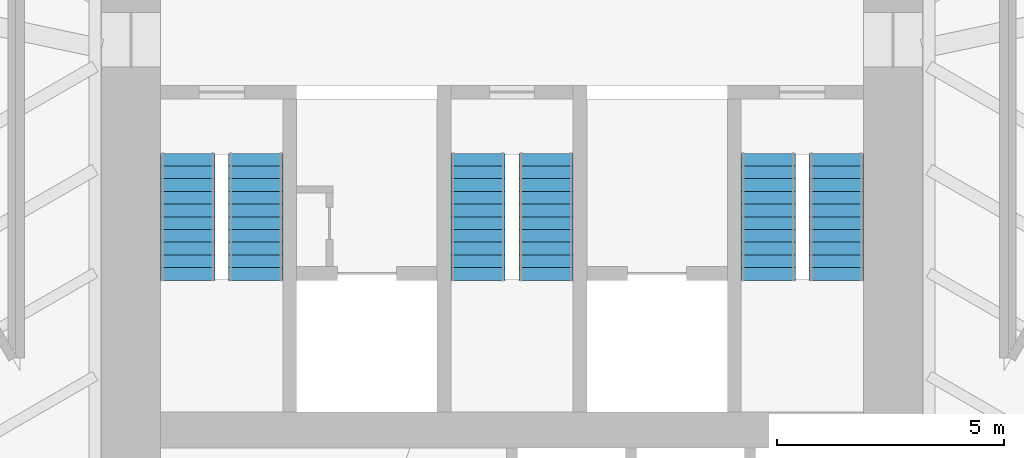
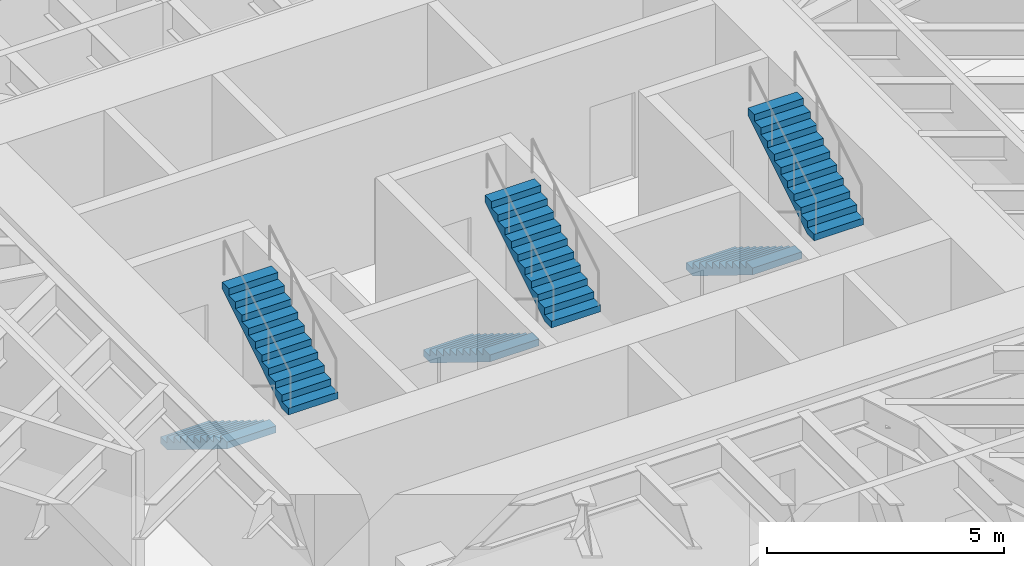
# One storey, part 16 of 17: 6 stair flights, 3 elements without a shape of their own.
"""IFC4 building model written with IfcOpenShell, lengths in metres."""

from ifc_helpers import new_model, si_unit, direction, frame, origin, place, context, subcontext, project, spatial, polyline, outline, extrude, material, type_object, element, aggregate, save


model = new_model("IFC4")

# Units and contexts
model_context = context("Model", 3, precision=1e-05, world=origin(), true_north=direction((0.0, 1.0)))
body_context = subcontext(model_context, "Body", "Model", "MODEL_VIEW")
ifc_project = project(units=[si_unit("LENGTHUNIT", "METRE"), si_unit("AREAUNIT", "SQUARE_METRE"), si_unit("VOLUMEUNIT", "CUBIC_METRE"), si_unit("PLANEANGLEUNIT", "RADIAN"), si_unit("MASSUNIT", "GRAM", prefix="KILO")], contexts=[model_context])

# Site, building, storey
site_placement = place(None, origin())
site = spatial("IfcSite", under=ifc_project, at=site_placement, CompositionType="ELEMENT")
building_placement = place(site_placement, origin())
building = spatial("IfcBuilding", under=site, at=building_placement, Name="Sandreach Pilgrim Tower", CompositionType="ELEMENT")
storey_placement = place(building_placement, frame((0.0, 0.0, 104.39990234375)))
storey = spatial("IfcBuildingStorey", under=building, at=storey_placement, Name="L25", CompositionType="ELEMENT", Elevation=104.39990234375)

# Stair, stair flights
ifc_material_1 = material(Name="Concrete 8000 psi", Category="concrete")
stair_type = type_object("IfcStairType", Name="Core exit stair", PredefinedType="HALF_TURN_STAIR", material=ifc_material_1)
stair_1_placement = place(storey_placement, origin())
stair_1 = element("IfcStair", 1, at=stair_1_placement, inside=storey, type_object=stair_type, Name="Exit stair ST1 L25", PredefinedType="HALF_TURN_STAIR")
ifc_material_2 = material(Name="Concrete 8000 psi", Category="concrete")
stair_flight_type = type_object("IfcStairFlightType", Name="Core stair flight 1200", PredefinedType="STRAIGHT", material=ifc_material_2)
stair_flight_1_placement = place(storey_placement, frame((-7.14990234375, -0.39990234375, 0.0), z_axis=(0.0, 0.0, 1.0), x_axis=(0.0, -1.0, 0.0)))
stair_flight_1 = element("IfcStairFlight", 2, at=stair_flight_1_placement, type_object=stair_flight_type, Name="ST1 flight 1", NumberOfRisers=11, NumberOfTreads=10, PredefinedType="STRAIGHT", RiserHeight=0.172727273, TreadLength=0.28, context=body_context, shape_type="SweptSolid", body=[
    extrude(outline(polyline([(0.0, 0.0), (0.0, 0.172607421875), (0.280029296875, 0.172607421875), (0.280029296875, 0.345458984375), (0.56005859375, 0.345458984375), (0.56005859375, 0.51806640625), (0.840087890625, 0.51806640625), (0.840087890625, 0.69091796875), (1.1201171875, 0.69091796875), (1.1201171875, 0.863525390625), (1.39990234375, 0.863525390625), (1.39990234375, 1.036376953125), (1.679931640625, 1.036376953125), (1.679931640625, 1.208984375), (1.9599609375, 1.208984375), (1.9599609375, 1.3818359375), (2.239990234375, 1.3818359375), (2.239990234375, 1.554443359375), (2.52001953125, 1.554443359375), (2.52001953125, 1.727294921875), (2.800048828125, 1.727294921875), (2.800048828125, 1.89990234375), (2.800048828125, 1.551025390625), (0.285400390625, 0.0), (0.0, 0.0)])), frame((0.0, 0.60009765625, 0.0), z_axis=(0.0, -1.0, 0.0), x_axis=(1.0, 0.0, 0.0)), (0.0, 0.0, 1.0), 1.199951171875),
])
stair_flight_2_placement = place(storey_placement, frame((-5.64990234375, -3.199951171875, 1.900146484375), z_axis=(0.0, 0.0, 1.0), x_axis=(0.0, 1.0, 0.0)))
stair_flight_2 = element("IfcStairFlight", 3, at=stair_flight_2_placement, type_object=stair_flight_type, Name="ST1 flight 2", NumberOfRisers=11, NumberOfTreads=10, PredefinedType="STRAIGHT", RiserHeight=0.172727273, TreadLength=0.28, context=body_context, shape_type="SweptSolid", body=[
    extrude(outline(polyline([(0.0, 0.0), (0.0, 0.172607421875), (0.280029296875, 0.172607421875), (0.280029296875, 0.345458984375), (0.56005859375, 0.345458984375), (0.56005859375, 0.51806640625), (0.840087890625, 0.51806640625), (0.840087890625, 0.69091796875), (1.1201171875, 0.69091796875), (1.1201171875, 0.863525390625), (1.39990234375, 0.863525390625), (1.39990234375, 1.036376953125), (1.679931640625, 1.036376953125), (1.679931640625, 1.208984375), (1.9599609375, 1.208984375), (1.9599609375, 1.3818359375), (2.239990234375, 1.3818359375), (2.239990234375, 1.554443359375), (2.52001953125, 1.554443359375), (2.52001953125, 1.727294921875), (2.800048828125, 1.727294921875), (2.800048828125, 1.89990234375), (2.800048828125, 1.551025390625), (0.285400390625, 0.0), (0.0, 0.0)])), frame((0.0, 0.60009765625, 0.0), z_axis=(0.0, -1.0, 0.0), x_axis=(1.0, 0.0, 0.0)), (0.0, 0.0, 1.0), 1.199951171875),
])
aggregate(stair_1, [stair_flight_1, stair_flight_2])

stair_2_placement = place(storey_placement, origin())
stair_2 = element("IfcStair", 4, at=stair_2_placement, inside=storey, type_object=stair_type, Name="Exit stair ST3 L25", PredefinedType="HALF_TURN_STAIR")
stair_flight_3_placement = place(storey_placement, frame((-0.75, -0.39990234375, 0.0), z_axis=(0.0, 0.0, 1.0), x_axis=(0.0, -1.0, 0.0)))
stair_flight_3 = element("IfcStairFlight", 5, at=stair_flight_3_placement, type_object=stair_flight_type, Name="ST3 flight 1", NumberOfRisers=11, NumberOfTreads=10, PredefinedType="STRAIGHT", RiserHeight=0.172727273, TreadLength=0.28, context=body_context, shape_type="SweptSolid", body=[
    extrude(outline(polyline([(0.0, 0.0), (0.0, 0.172607421875), (0.280029296875, 0.172607421875), (0.280029296875, 0.345458984375), (0.56005859375, 0.345458984375), (0.56005859375, 0.51806640625), (0.840087890625, 0.51806640625), (0.840087890625, 0.69091796875), (1.1201171875, 0.69091796875), (1.1201171875, 0.863525390625), (1.39990234375, 0.863525390625), (1.39990234375, 1.036376953125), (1.679931640625, 1.036376953125), (1.679931640625, 1.208984375), (1.9599609375, 1.208984375), (1.9599609375, 1.3818359375), (2.239990234375, 1.3818359375), (2.239990234375, 1.554443359375), (2.52001953125, 1.554443359375), (2.52001953125, 1.727294921875), (2.800048828125, 1.727294921875), (2.800048828125, 1.89990234375), (2.800048828125, 1.551025390625), (0.285400390625, 0.0), (0.0, 0.0)])), frame((0.0, 0.60009765625, 0.0), z_axis=(0.0, -1.0, 0.0), x_axis=(1.0, 0.0, 0.0)), (0.0, 0.0, 1.0), 1.199951171875),
])
stair_flight_4_placement = place(storey_placement, frame((0.75, -3.199951171875, 1.900146484375), z_axis=(0.0, 0.0, 1.0), x_axis=(0.0, 1.0, 0.0)))
stair_flight_4 = element("IfcStairFlight", 6, at=stair_flight_4_placement, type_object=stair_flight_type, Name="ST3 flight 2", NumberOfRisers=11, NumberOfTreads=10, PredefinedType="STRAIGHT", RiserHeight=0.172727273, TreadLength=0.28, context=body_context, shape_type="SweptSolid", body=[
    extrude(outline(polyline([(0.0, 0.0), (0.0, 0.172607421875), (0.280029296875, 0.172607421875), (0.280029296875, 0.345458984375), (0.56005859375, 0.345458984375), (0.56005859375, 0.51806640625), (0.840087890625, 0.51806640625), (0.840087890625, 0.69091796875), (1.1201171875, 0.69091796875), (1.1201171875, 0.863525390625), (1.39990234375, 0.863525390625), (1.39990234375, 1.036376953125), (1.679931640625, 1.036376953125), (1.679931640625, 1.208984375), (1.9599609375, 1.208984375), (1.9599609375, 1.3818359375), (2.239990234375, 1.3818359375), (2.239990234375, 1.554443359375), (2.52001953125, 1.554443359375), (2.52001953125, 1.727294921875), (2.800048828125, 1.727294921875), (2.800048828125, 1.89990234375), (2.800048828125, 1.551025390625), (0.285400390625, 0.0), (0.0, 0.0)])), frame((0.0, 0.60009765625, 0.0), z_axis=(0.0, -1.0, 0.0), x_axis=(1.0, 0.0, 0.0)), (0.0, 0.0, 1.0), 1.199951171875),
])
aggregate(stair_2, [stair_flight_3, stair_flight_4])

stair_3_placement = place(storey_placement, origin())
stair_3 = element("IfcStair", 7, at=stair_3_placement, inside=storey, type_object=stair_type, Name="Exit stair ST2 L25", PredefinedType="HALF_TURN_STAIR")
stair_flight_5_placement = place(storey_placement, frame((5.64990234375, -0.39990234375, 0.0), z_axis=(0.0, 0.0, 1.0), x_axis=(0.0, -1.0, 0.0)))
stair_flight_5 = element("IfcStairFlight", 8, at=stair_flight_5_placement, type_object=stair_flight_type, Name="ST2 flight 1", NumberOfRisers=11, NumberOfTreads=10, PredefinedType="STRAIGHT", RiserHeight=0.172727273, TreadLength=0.28, context=body_context, shape_type="SweptSolid", body=[
    extrude(outline(polyline([(0.0, 0.0), (0.0, 0.172607421875), (0.280029296875, 0.172607421875), (0.280029296875, 0.345458984375), (0.56005859375, 0.345458984375), (0.56005859375, 0.51806640625), (0.840087890625, 0.51806640625), (0.840087890625, 0.69091796875), (1.1201171875, 0.69091796875), (1.1201171875, 0.863525390625), (1.39990234375, 0.863525390625), (1.39990234375, 1.036376953125), (1.679931640625, 1.036376953125), (1.679931640625, 1.208984375), (1.9599609375, 1.208984375), (1.9599609375, 1.3818359375), (2.239990234375, 1.3818359375), (2.239990234375, 1.554443359375), (2.52001953125, 1.554443359375), (2.52001953125, 1.727294921875), (2.800048828125, 1.727294921875), (2.800048828125, 1.89990234375), (2.800048828125, 1.551025390625), (0.285400390625, 0.0), (0.0, 0.0)])), frame((0.0, 0.60009765625, 0.0), z_axis=(0.0, -1.0, 0.0), x_axis=(1.0, 0.0, 0.0)), (0.0, 0.0, 1.0), 1.199951171875),
])
stair_flight_6_placement = place(storey_placement, frame((7.14990234375, -3.199951171875, 1.900146484375), z_axis=(0.0, 0.0, 1.0), x_axis=(0.0, 1.0, 0.0)))
stair_flight_6 = element("IfcStairFlight", 9, at=stair_flight_6_placement, type_object=stair_flight_type, Name="ST2 flight 2", NumberOfRisers=11, NumberOfTreads=10, PredefinedType="STRAIGHT", RiserHeight=0.172727273, TreadLength=0.28, context=body_context, shape_type="SweptSolid", body=[
    extrude(outline(polyline([(0.0, 0.0), (0.0, 0.172607421875), (0.280029296875, 0.172607421875), (0.280029296875, 0.345458984375), (0.56005859375, 0.345458984375), (0.56005859375, 0.51806640625), (0.840087890625, 0.51806640625), (0.840087890625, 0.69091796875), (1.1201171875, 0.69091796875), (1.1201171875, 0.863525390625), (1.39990234375, 0.863525390625), (1.39990234375, 1.036376953125), (1.679931640625, 1.036376953125), (1.679931640625, 1.208984375), (1.9599609375, 1.208984375), (1.9599609375, 1.3818359375), (2.239990234375, 1.3818359375), (2.239990234375, 1.554443359375), (2.52001953125, 1.554443359375), (2.52001953125, 1.727294921875), (2.800048828125, 1.727294921875), (2.800048828125, 1.89990234375), (2.800048828125, 1.551025390625), (0.285400390625, 0.0), (0.0, 0.0)])), frame((0.0, 0.60009765625, 0.0), z_axis=(0.0, -1.0, 0.0), x_axis=(1.0, 0.0, 0.0)), (0.0, 0.0, 1.0), 1.199951171875),
])
aggregate(stair_3, [stair_flight_5, stair_flight_6])

save(model, "model.ifc")
